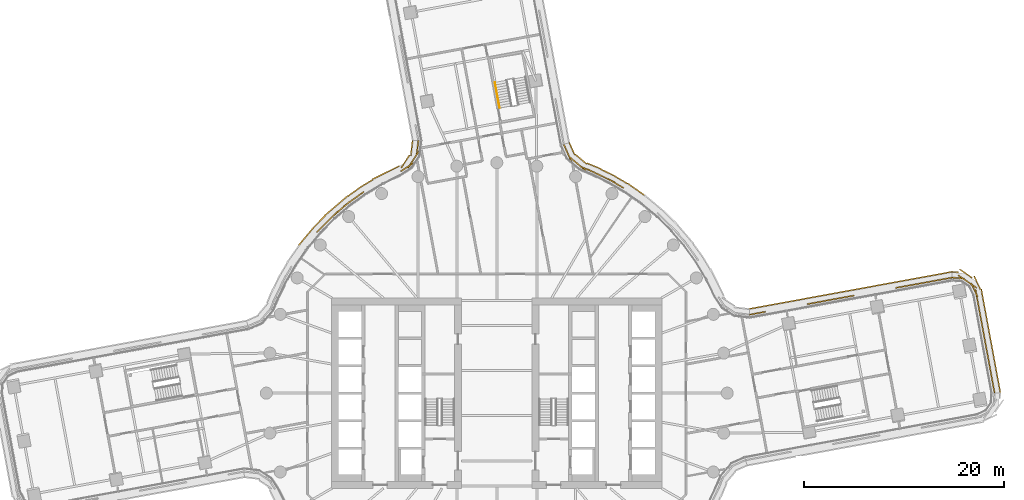
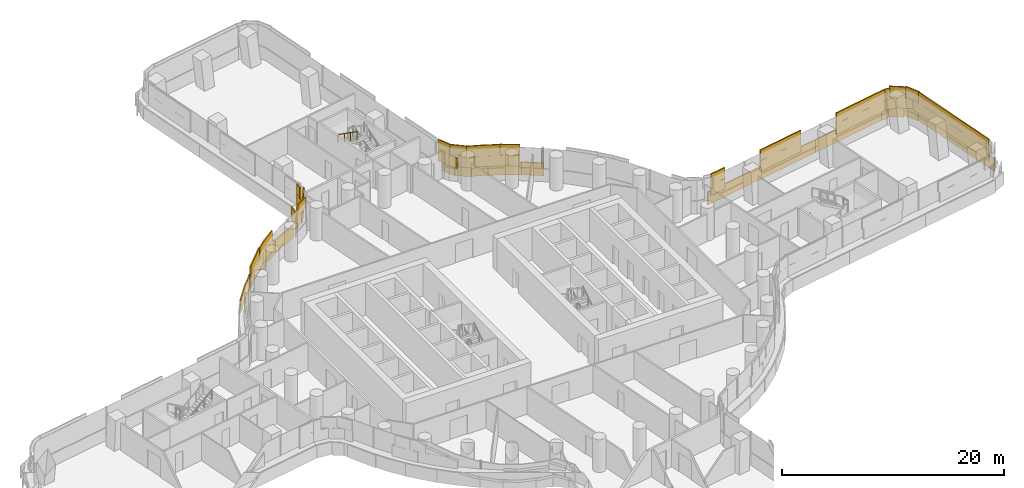
# One storey, part 31 of 33: 5 coverings, 1 railing.
"""IFC4 building model written with IfcOpenShell, lengths in metres."""

from ifc_helpers import new_model, si_unit, direction, frame, origin, origin_2d, place, context, subcontext, project, spatial, rectangle, circle, extrude, material, layer, layer_set, type_object, element, save


model = new_model("IFC4")

# Units and contexts
model_context = context("Model", 3, precision=1e-05, world=origin(), true_north=direction((0.0, 1.0)))
body_context = subcontext(model_context, "Body", "Model", "MODEL_VIEW")
ifc_project = project(units=[si_unit("LENGTHUNIT", "METRE"), si_unit("AREAUNIT", "SQUARE_METRE"), si_unit("VOLUMEUNIT", "CUBIC_METRE"), si_unit("PLANEANGLEUNIT", "RADIAN"), si_unit("MASSUNIT", "GRAM", prefix="KILO")], contexts=[model_context])

# Site, building, storey
site_placement = place(None, origin())
site = spatial("IfcSite", under=ifc_project, at=site_placement, CompositionType="ELEMENT")
building_placement = place(site_placement, origin())
building = spatial("IfcBuilding", under=site, at=building_placement, Name="Tamarind Cross Interchange Tower", CompositionType="ELEMENT")
storey_placement = place(building_placement, frame((0.0, 0.0, 71.5)))
storey = spatial("IfcBuildingStorey", under=building, at=storey_placement, Name="L16", CompositionType="ELEMENT", Elevation=71.5)

# Railing
ifc_material_1 = material(Name="Stair handrail")
railing_type = type_object("IfcRailingType", Name="Stair handrail", PredefinedType="HANDRAIL", material=ifc_material_1)
railing_placement = place(storey_placement, frame((-0.18798828125, 31.015380859375, 2.04541015625)))
element("IfcRailing", 1, at=railing_placement, inside=storey, type_object=railing_type, Name="L16 ST4 stair handrail 2", PredefinedType="HANDRAIL", context=body_context, shape_type="SweptSolid", body=[
    extrude(circle(Radius=0.02392578125, at=origin_2d()), frame((0.0, 0.0, 0.8759765625), z_axis=(0.151638442794, -0.822428488544, 0.54828565903), x_axis=(0.983423678231, 0.181322555396, 0.0)), (0.0, 0.0, 1.0), 3.10888671875),
    extrude(circle(Radius=0.02099609375, at=origin_2d()), origin(), (0.0, 0.0, 1.0), 0.851806640625),
    extrude(circle(Radius=0.02099609375, at=origin_2d()), frame((0.1572265625, -0.852294921875, 0.568115234375)), (0.0, 0.0, 1.0), 0.851806640625),
    extrude(circle(Radius=0.02099609375, at=origin_2d()), frame((0.314208984375, -1.70458984375, 1.136474609375)), (0.0, 0.0, 1.0), 0.851806640625),
    extrude(circle(Radius=0.02099609375, at=origin_2d()), frame((0.471435546875, -2.556884765625, 1.70458984375)), (0.0, 0.0, 1.0), 0.851806640625),
])

# Coverings
ifc_material_2 = material(Name="Terracotta", Category="masonry")
ifc_layer = layer(ifc_material_2, 0.1201171875)
ifc_layer_set = layer_set([ifc_layer], Name="Terracotta")
covering_type = type_object("IfcCoveringType", Name="Terracotta baguette screen unit", PredefinedType="MOLDING", material=ifc_layer_set)
covering_1_placement = place(storey_placement, origin())
element("IfcCovering", 2, at=covering_1_placement, inside=storey, type_object=covering_type, Name="SCR-L16-08-00", PredefinedType="MOLDING", context=body_context, shape_type="SweptSolid", body=[
    extrude(rectangle(XDim=1.510009765625, YDim=0.1201171875, at=origin_2d()), frame((49.553466796875, 0.7470703125, 1.404052734375), z_axis=(0.0, 0.0, 1.0), x_axis=(-0.181343076715, 0.983419894311, 0.0)), (0.0, 0.0, 1.0), 1.1669921875),
    extrude(rectangle(XDim=1.52001953125, YDim=0.1201171875, at=origin_2d()), frame((49.281494140625, 2.222412109375, 1.404052734375), z_axis=(0.0, 0.0, 1.0), x_axis=(-0.181343076715, 0.983419894311, 0.0)), (0.0, 0.0, 1.0), 1.1669921875),
    extrude(rectangle(XDim=1.52001953125, YDim=0.1201171875, at=origin_2d()), frame((49.009521484375, 3.697509765625, 1.404052734375), z_axis=(0.0, 0.0, 1.0), x_axis=(-0.181343076715, 0.983419894311, 0.0)), (0.0, 0.0, 1.0), 1.1669921875),
    extrude(rectangle(XDim=1.52001953125, YDim=0.1201171875, at=origin_2d()), frame((48.7373046875, 5.172607421875, 1.404052734375), z_axis=(0.0, 0.0, 1.0), x_axis=(-0.181343076715, 0.983419894311, 0.0)), (0.0, 0.0, 1.0), 1.1669921875),
    extrude(rectangle(XDim=1.52001953125, YDim=0.1201171875, at=origin_2d()), frame((48.46533203125, 6.647705078125, 1.404052734375), z_axis=(0.0, 0.0, 1.0), x_axis=(-0.181343076715, 0.983419894311, 0.0)), (0.0, 0.0, 1.0), 1.1669921875),
    extrude(rectangle(XDim=1.52001953125, YDim=0.1201171875, at=origin_2d()), frame((48.193359375, 8.122802734375, 1.404052734375), z_axis=(0.0, 0.0, 1.0), x_axis=(-0.181343076715, 0.983419894311, 0.0)), (0.0, 0.0, 1.0), 1.1669921875),
    extrude(rectangle(XDim=1.52001953125, YDim=0.1201171875, at=origin_2d()), frame((47.92138671875, 9.597900390625, 1.404052734375), z_axis=(0.0, 0.0, 1.0), x_axis=(-0.181343076715, 0.983419894311, 0.0)), (0.0, 0.0, 1.0), 1.1669921875),
    extrude(rectangle(XDim=1.52001953125, YDim=0.1201171875, at=origin_2d()), frame((47.28369140625, 10.92236328125, 1.404052734375), z_axis=(0.0, 0.0, 1.0), x_axis=(-0.823611795288, 0.567153956755, 0.0)), (0.0, 0.0, 1.0), 1.1669921875),
    extrude(rectangle(XDim=1.259521484375, YDim=0.1201171875, at=origin_2d()), frame((46.073974609375, 11.484375, 1.404052734375), z_axis=(0.0, 0.0, 1.0), x_axis=(-0.996845715953, 0.079363836763, 0.0)), (0.0, 0.0, 1.0), 1.1669921875),
    extrude(rectangle(XDim=0.760009765625, YDim=0.1201171875, at=origin_2d()), frame((49.62158203125, 0.37841796875, 2.5791015625), z_axis=(0.0, 0.0, 1.0), x_axis=(-0.181343076715, 0.983419894311, 0.0)), (0.0, 0.0, 1.0), 1.1669921875),
    extrude(rectangle(XDim=1.52001953125, YDim=0.1201171875, at=origin_2d()), frame((49.41748046875, 1.484619140625, 2.5791015625), z_axis=(0.0, 0.0, 1.0), x_axis=(-0.181343076715, 0.983419894311, 0.0)), (0.0, 0.0, 1.0), 1.1669921875),
    extrude(rectangle(XDim=1.52001953125, YDim=0.1201171875, at=origin_2d()), frame((49.1455078125, 2.9599609375, 2.5791015625), z_axis=(0.0, 0.0, 1.0), x_axis=(-0.181343076715, 0.983419894311, 0.0)), (0.0, 0.0, 1.0), 1.1669921875),
    extrude(rectangle(XDim=1.52001953125, YDim=0.1201171875, at=origin_2d()), frame((48.87353515625, 4.43505859375, 2.5791015625), z_axis=(0.0, 0.0, 1.0), x_axis=(-0.181343076715, 0.983419894311, 0.0)), (0.0, 0.0, 1.0), 1.1669921875),
    extrude(rectangle(XDim=1.52001953125, YDim=0.1201171875, at=origin_2d()), frame((48.601318359375, 5.91015625, 2.5791015625), z_axis=(0.0, 0.0, 1.0), x_axis=(-0.181343076715, 0.983419894311, 0.0)), (0.0, 0.0, 1.0), 1.1669921875),
    extrude(rectangle(XDim=1.52001953125, YDim=0.1201171875, at=origin_2d()), frame((48.329345703125, 7.38525390625, 2.5791015625), z_axis=(0.0, 0.0, 1.0), x_axis=(-0.181343076715, 0.983419894311, 0.0)), (0.0, 0.0, 1.0), 1.1669921875),
    extrude(rectangle(XDim=1.52001953125, YDim=0.1201171875, at=origin_2d()), frame((48.057373046875, 8.8603515625, 2.5791015625), z_axis=(0.0, 0.0, 1.0), x_axis=(-0.181343076715, 0.983419894311, 0.0)), (0.0, 0.0, 1.0), 1.1669921875),
    extrude(rectangle(XDim=1.52001953125, YDim=0.1201171875, at=origin_2d()), frame((47.6669921875, 10.297119140625, 2.5791015625), z_axis=(0.0, 0.0, 1.0), x_axis=(-0.429691759198, 0.902975632051, 0.0)), (0.0, 0.0, 1.0), 1.1669921875),
    extrude(rectangle(XDim=1.52001953125, YDim=0.1201171875, at=origin_2d()), frame((46.666015625, 11.34765625, 2.5791015625), z_axis=(0.0, 0.0, 1.0), x_axis=(-0.823611795288, 0.567153956755, 0.0)), (0.0, 0.0, 1.0), 1.1669921875),
    extrude(rectangle(XDim=0.509521484375, YDim=0.1201171875, at=origin_2d()), frame((45.7001953125, 11.51416015625, 2.5791015625), z_axis=(0.0, 0.0, 1.0), x_axis=(-0.996845715953, 0.079363836763, 0.0)), (0.0, 0.0, 1.0), 1.1669921875),
    extrude(rectangle(XDim=1.510009765625, YDim=0.1201171875, at=origin_2d()), frame((50.130859375, 0.781982421875, 0.00390625), z_axis=(0.0, 0.0, 1.0), x_axis=(-0.181343076715, 0.983419894311, 0.0)), (0.0, 0.0, 1.0), 1.39208984375),
    extrude(rectangle(XDim=1.52001953125, YDim=0.1201171875, at=origin_2d()), frame((49.859619140625, 2.251953125, 0.00390625), z_axis=(0.0, 0.0, 1.0), x_axis=(-0.181343076715, 0.983419894311, 0.0)), (0.0, 0.0, 1.0), 1.39208984375),
    extrude(rectangle(XDim=1.52001953125, YDim=0.1201171875, at=origin_2d()), frame((49.587646484375, 3.727294921875, 0.00390625), z_axis=(0.0, 0.0, 1.0), x_axis=(-0.181343076715, 0.983419894311, 0.0)), (0.0, 0.0, 1.0), 1.39208984375),
    extrude(rectangle(XDim=1.52001953125, YDim=0.1201171875, at=origin_2d()), frame((49.315673828125, 5.202392578125, 0.00390625), z_axis=(0.0, 0.0, 1.0), x_axis=(-0.181343076715, 0.983419894311, 0.0)), (0.0, 0.0, 1.0), 1.39208984375),
    extrude(rectangle(XDim=1.52001953125, YDim=0.1201171875, at=origin_2d()), frame((49.043701171875, 6.677490234375, 0.00390625), z_axis=(0.0, 0.0, 1.0), x_axis=(-0.181343076715, 0.983419894311, 0.0)), (0.0, 0.0, 1.0), 1.39208984375),
    extrude(rectangle(XDim=1.52001953125, YDim=0.1201171875, at=origin_2d()), frame((48.771484375, 8.152587890625, 0.00390625), z_axis=(0.0, 0.0, 1.0), x_axis=(-0.181343076715, 0.983419894311, 0.0)), (0.0, 0.0, 1.0), 1.39208984375),
    extrude(rectangle(XDim=1.52001953125, YDim=0.1201171875, at=origin_2d()), frame((48.49951171875, 9.627685546875, 0.00390625), z_axis=(0.0, 0.0, 1.0), x_axis=(-0.181343076715, 0.983419894311, 0.0)), (0.0, 0.0, 1.0), 1.39208984375),
    extrude(rectangle(XDim=1.52001953125, YDim=0.1201171875, at=origin_2d()), frame((47.96044921875, 11.016357421875, 0.00390625), z_axis=(0.0, 0.0, 1.0), x_axis=(-0.429691759198, 0.902975632051, 0.0)), (0.0, 0.0, 1.0), 1.39208984375),
    extrude(rectangle(XDim=1.52001953125, YDim=0.1201171875, at=origin_2d()), frame((46.81396484375, 11.94287109375, 0.00390625), z_axis=(0.0, 0.0, 1.0), x_axis=(-0.823611795288, 0.567153956755, 0.0)), (0.0, 0.0, 1.0), 1.39208984375),
    extrude(rectangle(XDim=0.6767578125, YDim=0.1201171875, at=origin_2d()), frame((45.759033203125, 12.085205078125, 0.00390625), z_axis=(0.0, 0.0, 1.0), x_axis=(-0.996845715953, 0.079363836763, 0.0)), (0.0, 0.0, 1.0), 1.39208984375),
])
covering_2_placement = place(storey_placement, origin())
element("IfcCovering", 3, at=covering_2_placement, inside=storey, type_object=covering_type, Name="SCR-L16-09-00", PredefinedType="MOLDING", context=body_context, shape_type="SweptSolid", body=[
    extrude(rectangle(XDim=1.510009765625, YDim=0.1201171875, at=origin_2d()), frame((44.713623046875, 11.39892578125, 1.404052734375), z_axis=(0.0, 0.0, 1.0), x_axis=(-0.98365083434, -0.180086190758, 0.0)), (0.0, 0.0, 1.0), 1.1669921875),
    extrude(rectangle(XDim=1.52001953125, YDim=0.1201171875, at=origin_2d()), frame((43.238037109375, 11.128662109375, 1.404052734375), z_axis=(0.0, 0.0, 1.0), x_axis=(-0.98365083434, -0.180086190758, 0.0)), (0.0, 0.0, 1.0), 1.1669921875),
    extrude(rectangle(XDim=1.52001953125, YDim=0.1201171875, at=origin_2d()), frame((41.762451171875, 10.858642578125, 1.404052734375), z_axis=(0.0, 0.0, 1.0), x_axis=(-0.98365083434, -0.180086190758, 0.0)), (0.0, 0.0, 1.0), 1.1669921875),
    extrude(rectangle(XDim=1.25146484375, YDim=0.1201171875, at=origin_2d()), frame((40.414306640625, 10.61181640625, 1.404052734375), z_axis=(0.0, 0.0, 1.0), x_axis=(-0.98365083434, -0.180086190758, 0.0)), (0.0, 0.0, 1.0), 1.1669921875),
    extrude(rectangle(XDim=0.760009765625, YDim=0.1201171875, at=origin_2d()), frame((45.082275390625, 11.46630859375, 2.5791015625), z_axis=(0.0, 0.0, 1.0), x_axis=(-0.98365083434, -0.180086190758, 0.0)), (0.0, 0.0, 1.0), 1.1669921875),
    extrude(rectangle(XDim=1.52001953125, YDim=0.1201171875, at=origin_2d()), frame((43.975830078125, 11.263916015625, 2.5791015625), z_axis=(0.0, 0.0, 1.0), x_axis=(-0.98365083434, -0.180086190758, 0.0)), (0.0, 0.0, 1.0), 1.1669921875),
    extrude(rectangle(XDim=1.52001953125, YDim=0.1201171875, at=origin_2d()), frame((42.500244140625, 10.99365234375, 2.5791015625), z_axis=(0.0, 0.0, 1.0), x_axis=(-0.98365083434, -0.180086190758, 0.0)), (0.0, 0.0, 1.0), 1.1669921875),
    extrude(rectangle(XDim=1.52001953125, YDim=0.1201171875, at=origin_2d()), frame((41.02490234375, 10.7236328125, 2.5791015625), z_axis=(0.0, 0.0, 1.0), x_axis=(-0.98365083434, -0.180086190758, 0.0)), (0.0, 0.0, 1.0), 1.1669921875),
    extrude(rectangle(XDim=0.50146484375, YDim=0.1201171875, at=origin_2d()), frame((40.04541015625, 10.544189453125, 2.5791015625), z_axis=(0.0, 0.0, 1.0), x_axis=(-0.98365083434, -0.180086190758, 0.0)), (0.0, 0.0, 1.0), 1.1669921875),
    extrude(rectangle(XDim=1.510009765625, YDim=0.1201171875, at=origin_2d()), frame((44.67919921875, 11.97607421875, 0.00390625), z_axis=(0.0, 0.0, 1.0), x_axis=(-0.98365083434, -0.180086190758, 0.0)), (0.0, 0.0, 1.0), 1.39208984375),
    extrude(rectangle(XDim=1.52001953125, YDim=0.1201171875, at=origin_2d()), frame((43.208740234375, 11.706787109375, 0.00390625), z_axis=(0.0, 0.0, 1.0), x_axis=(-0.98365083434, -0.180086190758, 0.0)), (0.0, 0.0, 1.0), 1.39208984375),
    extrude(rectangle(XDim=1.52001953125, YDim=0.1201171875, at=origin_2d()), frame((41.733154296875, 11.436767578125, 0.00390625), z_axis=(0.0, 0.0, 1.0), x_axis=(-0.98365083434, -0.180086190758, 0.0)), (0.0, 0.0, 1.0), 1.39208984375),
    extrude(rectangle(XDim=1.52001953125, YDim=0.1201171875, at=origin_2d()), frame((40.257568359375, 11.166748046875, 0.00390625), z_axis=(0.0, 0.0, 1.0), x_axis=(-0.98365083434, -0.180086190758, 0.0)), (0.0, 0.0, 1.0), 1.39208984375),
    extrude(rectangle(XDim=1.52001953125, YDim=0.1201171875, at=origin_2d()), frame((38.7822265625, 10.896484375, 0.00390625), z_axis=(0.0, 0.0, 1.0), x_axis=(-0.98365083434, -0.180086190758, 0.0)), (0.0, 0.0, 1.0), 1.39208984375),
    extrude(rectangle(XDim=0.34716796875, YDim=0.1201171875, at=origin_2d()), frame((37.883544921875, 10.73193359375, 0.00390625), z_axis=(0.0, 0.0, 1.0), x_axis=(-0.98365083434, -0.180086190758, 0.0)), (0.0, 0.0, 1.0), 1.39208984375),
])
covering_3_placement = place(storey_placement, origin())
element("IfcCovering", 4, at=covering_3_placement, inside=storey, type_object=covering_type, Name="SCR-L16-09-01", PredefinedType="MOLDING", context=body_context, shape_type="SweptSolid", body=[
    extrude(rectangle(XDim=0.568603515625, YDim=0.1201171875, at=origin_2d()), frame((35.397705078125, 9.693359375, 1.404052734375), z_axis=(0.0, 0.0, 1.0), x_axis=(-0.98365083434, -0.180086190758, 0.0)), (0.0, 0.0, 1.0), 1.1669921875),
    extrude(rectangle(XDim=1.52001953125, YDim=0.1201171875, at=origin_2d()), frame((34.38525390625, 9.508056640625, 1.404052734375), z_axis=(0.0, 0.0, 1.0), x_axis=(-0.98365083434, -0.180086190758, 0.0)), (0.0, 0.0, 1.0), 1.1669921875),
    extrude(rectangle(XDim=1.52001953125, YDim=0.1201171875, at=origin_2d()), frame((32.90966796875, 9.23779296875, 1.404052734375), z_axis=(0.0, 0.0, 1.0), x_axis=(-0.98365083434, -0.180086190758, 0.0)), (0.0, 0.0, 1.0), 1.1669921875),
    extrude(rectangle(XDim=1.250732421875, YDim=0.1201171875, at=origin_2d()), frame((31.561767578125, 8.990966796875, 1.404052734375), z_axis=(0.0, 0.0, 1.0), x_axis=(-0.98365083434, -0.180086190758, 0.0)), (0.0, 0.0, 1.0), 1.1669921875),
    extrude(rectangle(XDim=0.5693359375, YDim=0.1201171875, at=origin_2d()), frame((26.545166015625, 8.072509765625, 1.404052734375), z_axis=(0.0, 0.0, 1.0), x_axis=(-0.98365083434, -0.180086190758, 0.0)), (0.0, 0.0, 1.0), 1.1669921875),
    extrude(rectangle(XDim=1.07958984375, YDim=0.1201171875, at=origin_2d()), frame((25.744140625, 7.926025390625, 1.404052734375), z_axis=(0.0, 0.0, 1.0), x_axis=(-0.98365083434, -0.180086190758, 0.0)), (0.0, 0.0, 1.0), 1.1669921875),
    extrude(rectangle(XDim=1.318603515625, YDim=0.1201171875, at=origin_2d()), frame((35.02880859375, 9.625732421875, 2.5791015625), z_axis=(0.0, 0.0, 1.0), x_axis=(-0.98365083434, -0.180086190758, 0.0)), (0.0, 0.0, 1.0), 1.1669921875),
    extrude(rectangle(XDim=1.52001953125, YDim=0.1201171875, at=origin_2d()), frame((33.6474609375, 9.372802734375, 2.5791015625), z_axis=(0.0, 0.0, 1.0), x_axis=(-0.98365083434, -0.180086190758, 0.0)), (0.0, 0.0, 1.0), 1.1669921875),
    extrude(rectangle(XDim=1.52001953125, YDim=0.1201171875, at=origin_2d()), frame((32.171875, 9.102783203125, 2.5791015625), z_axis=(0.0, 0.0, 1.0), x_axis=(-0.98365083434, -0.180086190758, 0.0)), (0.0, 0.0, 1.0), 1.1669921875),
    extrude(rectangle(XDim=0.500732421875, YDim=0.1201171875, at=origin_2d()), frame((31.19287109375, 8.923583984375, 2.5791015625), z_axis=(0.0, 0.0, 1.0), x_axis=(-0.98365083434, -0.180086190758, 0.0)), (0.0, 0.0, 1.0), 1.1669921875),
    extrude(rectangle(XDim=1.3193359375, YDim=0.1201171875, at=origin_2d()), frame((26.17626953125, 8.005126953125, 2.5791015625), z_axis=(0.0, 0.0, 1.0), x_axis=(-0.98365083434, -0.180086190758, 0.0)), (0.0, 0.0, 1.0), 1.1669921875),
    extrude(rectangle(XDim=0.32958984375, YDim=0.1201171875, at=origin_2d()), frame((25.375244140625, 7.8583984375, 2.5791015625), z_axis=(0.0, 0.0, 1.0), x_axis=(-0.98365083434, -0.180086190758, 0.0)), (0.0, 0.0, 1.0), 1.1669921875),
    extrude(rectangle(XDim=1.1728515625, YDim=0.1201171875, at=origin_2d()), frame((37.135986328125, 10.59521484375, 0.00390625), z_axis=(0.0, 0.0, 1.0), x_axis=(-0.98365083434, -0.180086190758, 0.0)), (0.0, 0.0, 1.0), 1.39208984375),
    extrude(rectangle(XDim=1.52001953125, YDim=0.1201171875, at=origin_2d()), frame((35.831298828125, 10.356201171875, 0.00390625), z_axis=(0.0, 0.0, 1.0), x_axis=(-0.98365083434, -0.180086190758, 0.0)), (0.0, 0.0, 1.0), 1.39208984375),
    extrude(rectangle(XDim=1.52001953125, YDim=0.1201171875, at=origin_2d()), frame((34.355712890625, 10.086181640625, 0.00390625), z_axis=(0.0, 0.0, 1.0), x_axis=(-0.98365083434, -0.180086190758, 0.0)), (0.0, 0.0, 1.0), 1.39208984375),
    extrude(rectangle(XDim=1.52001953125, YDim=0.1201171875, at=origin_2d()), frame((32.88037109375, 9.81591796875, 0.00390625), z_axis=(0.0, 0.0, 1.0), x_axis=(-0.98365083434, -0.180086190758, 0.0)), (0.0, 0.0, 1.0), 1.39208984375),
    extrude(rectangle(XDim=1.52001953125, YDim=0.1201171875, at=origin_2d()), frame((31.40478515625, 9.5458984375, 0.00390625), z_axis=(0.0, 0.0, 1.0), x_axis=(-0.98365083434, -0.180086190758, 0.0)), (0.0, 0.0, 1.0), 1.39208984375),
    extrude(rectangle(XDim=1.52001953125, YDim=0.1201171875, at=origin_2d()), frame((29.929443359375, 9.275634765625, 0.00390625), z_axis=(0.0, 0.0, 1.0), x_axis=(-0.98365083434, -0.180086190758, 0.0)), (0.0, 0.0, 1.0), 1.39208984375),
    extrude(rectangle(XDim=1.52001953125, YDim=0.1201171875, at=origin_2d()), frame((28.453857421875, 9.005615234375, 0.00390625), z_axis=(0.0, 0.0, 1.0), x_axis=(-0.98365083434, -0.180086190758, 0.0)), (0.0, 0.0, 1.0), 1.39208984375),
    extrude(rectangle(XDim=1.52001953125, YDim=0.1201171875, at=origin_2d()), frame((26.978271484375, 8.735595703125, 0.00390625), z_axis=(0.0, 0.0, 1.0), x_axis=(-0.98365083434, -0.180086190758, 0.0)), (0.0, 0.0, 1.0), 1.39208984375),
    extrude(rectangle(XDim=1.068115234375, YDim=0.1201171875, at=origin_2d()), frame((25.72509765625, 8.506103515625, 0.00390625), z_axis=(0.0, 0.0, 1.0), x_axis=(-0.98365083434, -0.180086190758, 0.0)), (0.0, 0.0, 1.0), 1.39208984375),
])
covering_4_placement = place(storey_placement, origin())
element("IfcCovering", 5, at=covering_4_placement, inside=storey, type_object=covering_type, Name="SCR-L16-10-01", PredefinedType="MOLDING", context=body_context, shape_type="SweptSolid", body=[
    extrude(rectangle(XDim=1.078125, YDim=0.1201171875, at=origin_2d()), frame((12.1962890625, 20.74609375, 1.404052734375), z_axis=(0.0, 0.0, 1.0), x_axis=(-0.861248933065, 0.508183308752, 0.0)), (0.0, 0.0, 1.0), 1.1669921875),
    extrude(rectangle(XDim=1.52001953125, YDim=0.1201171875, at=origin_2d()), frame((11.07763671875, 21.374755859375, 1.404052734375), z_axis=(0.0, 0.0, 1.0), x_axis=(-0.900272776334, 0.435326231914, 0.0)), (0.0, 0.0, 1.0), 1.1669921875),
    extrude(rectangle(XDim=1.52001953125, YDim=0.1201171875, at=origin_2d()), frame((9.72705078125, 22.02783203125, 1.404052734375), z_axis=(0.0, 0.0, 1.0), x_axis=(-0.900272776334, 0.435326231914, 0.0)), (0.0, 0.0, 1.0), 1.1669921875),
    extrude(rectangle(XDim=1.52001953125, YDim=0.1201171875, at=origin_2d()), frame((8.361572265625, 22.638671875, 1.404052734375), z_axis=(0.0, 0.0, 1.0), x_axis=(-0.762599582374, 0.646870834837, 0.0)), (0.0, 0.0, 1.0), 1.1669921875),
    extrude(rectangle(XDim=1.52001953125, YDim=0.1201171875, at=origin_2d()), frame((7.22216796875, 23.612548828125, 1.404052734375), z_axis=(0.0, 0.0, 1.0), x_axis=(-0.401557003304, 0.915834031415, 0.0)), (0.0, 0.0, 1.0), 1.1669921875),
    extrude(rectangle(XDim=0.59228515625, YDim=0.1201171875, at=origin_2d()), frame((6.80419921875, 24.56591796875, 1.404052734375), z_axis=(0.0, 0.0, 1.0), x_axis=(-0.401557003304, 0.915834031415, 0.0)), (0.0, 0.0, 1.0), 1.1669921875),
    extrude(rectangle(XDim=0.328125, YDim=0.1201171875, at=origin_2d()), frame((12.519287109375, 20.555419921875, 2.5791015625), z_axis=(0.0, 0.0, 1.0), x_axis=(-0.861248933065, 0.508183308752, 0.0)), (0.0, 0.0, 1.0), 1.1669921875),
    extrude(rectangle(XDim=1.52001953125, YDim=0.1201171875, at=origin_2d()), frame((11.736328125, 21.017578125, 2.5791015625), z_axis=(0.0, 0.0, 1.0), x_axis=(-0.861248933065, 0.508183308752, 0.0)), (0.0, 0.0, 1.0), 1.1669921875),
    extrude(rectangle(XDim=1.52001953125, YDim=0.1201171875, at=origin_2d()), frame((10.40234375, 21.701171875, 2.5791015625), z_axis=(0.0, 0.0, 1.0), x_axis=(-0.900272776334, 0.435326231914, 0.0)), (0.0, 0.0, 1.0), 1.1669921875),
    extrude(rectangle(XDim=1.52001953125, YDim=0.1201171875, at=origin_2d()), frame((9.0390625, 22.32568359375, 2.5791015625), z_axis=(0.0, 0.0, 1.0), x_axis=(-0.922083651498, 0.386990619576, 0.0)), (0.0, 0.0, 1.0), 1.1669921875),
    extrude(rectangle(XDim=1.52001953125, YDim=0.1201171875, at=origin_2d()), frame((7.78955078125, 23.123779296875, 2.5791015625), z_axis=(0.0, 0.0, 1.0), x_axis=(-0.762599582374, 0.646870834837, 0.0)), (0.0, 0.0, 1.0), 1.1669921875),
    extrude(rectangle(XDim=1.34228515625, YDim=0.1201171875, at=origin_2d()), frame((6.95458984375, 24.222412109375, 2.5791015625), z_axis=(0.0, 0.0, 1.0), x_axis=(-0.401557003304, 0.915834031415, 0.0)), (0.0, 0.0, 1.0), 1.1669921875),
    extrude(rectangle(XDim=0.57275390625, YDim=0.1201171875, at=origin_2d()), frame((14.50244140625, 19.922119140625, 0.00390625), z_axis=(0.0, 0.0, 1.0), x_axis=(-0.816341886298, 0.577568978284, 0.0)), (0.0, 0.0, 1.0), 1.39208984375),
    extrude(rectangle(XDim=1.52001953125, YDim=0.1201171875, at=origin_2d()), frame((13.66455078125, 20.514892578125, 0.00390625), z_axis=(0.0, 0.0, 1.0), x_axis=(-0.816341886298, 0.577568978284, 0.0)), (0.0, 0.0, 1.0), 1.39208984375),
    extrude(rectangle(XDim=1.52001953125, YDim=0.1201171875, at=origin_2d()), frame((12.38720703125, 21.2998046875, 0.00390625), z_axis=(0.0, 0.0, 1.0), x_axis=(-0.861248933065, 0.508183308752, 0.0)), (0.0, 0.0, 1.0), 1.39208984375),
    extrude(rectangle(XDim=1.52001953125, YDim=0.1201171875, at=origin_2d()), frame((11.070556640625, 22.015625, 0.00390625), z_axis=(0.0, 0.0, 1.0), x_axis=(-0.900272776334, 0.435326231914, 0.0)), (0.0, 0.0, 1.0), 1.39208984375),
    extrude(rectangle(XDim=1.52001953125, YDim=0.1201171875, at=origin_2d()), frame((9.7177734375, 22.66357421875, 0.00390625), z_axis=(0.0, 0.0, 1.0), x_axis=(-0.922083651498, 0.386990619576, 0.0)), (0.0, 0.0, 1.0), 1.39208984375),
    extrude(rectangle(XDim=1.52001953125, YDim=0.1201171875, at=origin_2d()), frame((8.4033203125, 23.35595703125, 0.00390625), z_axis=(0.0, 0.0, 1.0), x_axis=(-0.762599582374, 0.646870834837, 0.0)), (0.0, 0.0, 1.0), 1.39208984375),
    extrude(rectangle(XDim=1.32861328125, YDim=0.1201171875, at=origin_2d()), frame((7.50634765625, 24.393798828125, 0.00390625), z_axis=(0.0, 0.0, 1.0), x_axis=(-0.401557003304, 0.915834031415, 0.0)), (0.0, 0.0, 1.0), 1.39208984375),
])
covering_5_placement = place(storey_placement, origin())
element("IfcCovering", 6, at=covering_5_placement, inside=storey, type_object=covering_type, Name="SCR-L16-14-00", PredefinedType="MOLDING", context=body_context, shape_type="SweptSolid", body=[
    extrude(rectangle(XDim=1.510009765625, YDim=0.1201171875, at=origin_2d()), frame((-7.91796875, 24.47314453125, 1.404052734375), z_axis=(0.0, 0.0, 1.0), x_axis=(-0.11776020703, -0.993042060358, 0.0)), (0.0, 0.0, 1.0), 1.1669921875),
    extrude(rectangle(XDim=1.52001953125, YDim=0.1201171875, at=origin_2d()), frame((-8.448486328125, 23.11279296875, 1.404052734375), z_axis=(0.0, 0.0, 1.0), x_axis=(-0.549037377395, -0.835797797451, 0.0)), (0.0, 0.0, 1.0), 1.1669921875),
    extrude(rectangle(XDim=0.791015625, YDim=0.1201171875, at=origin_2d()), frame((-9.263427734375, 22.3486328125, 1.404052734375), z_axis=(0.0, 0.0, 1.0), x_axis=(-0.836698400443, -0.54766393591, 0.0)), (0.0, 0.0, 1.0), 1.1669921875),
    extrude(rectangle(XDim=1.029052734375, YDim=0.1201171875, at=origin_2d()), frame((-13.676025390625, 19.8076171875, 1.404052734375), z_axis=(0.0, 0.0, 1.0), x_axis=(-0.811340475102, -0.584573890505, 0.0)), (0.0, 0.0, 1.0), 1.1669921875),
    extrude(rectangle(XDim=1.52001953125, YDim=0.1201171875, at=origin_2d()), frame((-14.697998046875, 19.0712890625, 1.404052734375), z_axis=(0.0, 0.0, 1.0), x_axis=(-0.811340475102, -0.584573890505, 0.0)), (0.0, 0.0, 1.0), 1.1669921875),
    extrude(rectangle(XDim=1.52001953125, YDim=0.1201171875, at=origin_2d()), frame((-15.849609375, 18.111328125, 1.404052734375), z_axis=(0.0, 0.0, 1.0), x_axis=(-0.760295606781, -0.64957723968, 0.0)), (0.0, 0.0, 1.0), 1.1669921875),
    extrude(rectangle(XDim=1.52001953125, YDim=0.1201171875, at=origin_2d()), frame((-16.945556640625, 17.089111328125, 1.404052734375), z_axis=(0.0, 0.0, 1.0), x_axis=(-0.704057148523, -0.710143317658, 0.0)), (0.0, 0.0, 1.0), 1.1669921875),
    extrude(rectangle(XDim=0.741943359375, YDim=0.1201171875, at=origin_2d()), frame((-17.731201171875, 16.296630859375, 1.404052734375), z_axis=(0.0, 0.0, 1.0), x_axis=(-0.704057148523, -0.710143317658, 0.0)), (0.0, 0.0, 1.0), 1.1669921875),
    extrude(rectangle(XDim=0.760009765625, YDim=0.1201171875, at=origin_2d()), frame((-7.873779296875, 24.845703125, 2.5791015625), z_axis=(0.0, 0.0, 1.0), x_axis=(-0.11776020703, -0.993042060358, 0.0)), (0.0, 0.0, 1.0), 1.1669921875),
    extrude(rectangle(XDim=1.52001953125, YDim=0.1201171875, at=origin_2d()), frame((-8.03662109375, 23.739501953125, 2.5791015625), z_axis=(0.0, 0.0, 1.0), x_axis=(-0.549037377395, -0.835797797451, 0.0)), (0.0, 0.0, 1.0), 1.1669921875),
    extrude(rectangle(XDim=1.52001953125, YDim=0.1201171875, at=origin_2d()), frame((-8.9365234375, 22.5625, 2.5791015625), z_axis=(0.0, 0.0, 1.0), x_axis=(-0.836698400443, -0.54766393591, 0.0)), (0.0, 0.0, 1.0), 1.1669921875),
    extrude(rectangle(XDim=1.52001953125, YDim=0.1201171875, at=origin_2d()), frame((-14.08935546875, 19.509765625, 2.5791015625), z_axis=(0.0, 0.0, 1.0), x_axis=(-0.811340475102, -0.584573890505, 0.0)), (0.0, 0.0, 1.0), 1.1669921875),
    extrude(rectangle(XDim=1.52001953125, YDim=0.1201171875, at=origin_2d()), frame((-15.279296875, 18.598388671875, 2.5791015625), z_axis=(0.0, 0.0, 1.0), x_axis=(-0.760295606781, -0.64957723968, 0.0)), (0.0, 0.0, 1.0), 1.1669921875),
    extrude(rectangle(XDim=1.52001953125, YDim=0.1201171875, at=origin_2d()), frame((-16.41748046875, 17.62158203125, 2.5791015625), z_axis=(0.0, 0.0, 1.0), x_axis=(-0.704057148523, -0.710143317658, 0.0)), (0.0, 0.0, 1.0), 1.1669921875),
    extrude(rectangle(XDim=1.491943359375, YDim=0.1201171875, at=origin_2d()), frame((-17.46728515625, 16.562744140625, 2.5791015625), z_axis=(0.0, 0.0, 1.0), x_axis=(-0.704057148523, -0.710143317658, 0.0)), (0.0, 0.0, 1.0), 1.1669921875),
    extrude(rectangle(XDim=1.510009765625, YDim=0.1201171875, at=origin_2d()), frame((-8.498779296875, 24.449951171875, 0.00390625), z_axis=(0.0, 0.0, 1.0), x_axis=(-0.11776020703, -0.993042060358, 0.0)), (0.0, 0.0, 1.0), 1.39208984375),
    extrude(rectangle(XDim=1.52001953125, YDim=0.1201171875, at=origin_2d()), frame((-9.124267578125, 23.12939453125, 0.00390625), z_axis=(0.0, 0.0, 1.0), x_axis=(-0.549037377395, -0.835797797451, 0.0)), (0.0, 0.0, 1.0), 1.39208984375),
    extrude(rectangle(XDim=1.52001953125, YDim=0.1201171875, at=origin_2d()), frame((-10.3994140625, 22.3447265625, 0.00390625), z_axis=(0.0, 0.0, 1.0), x_axis=(-0.896492548518, -0.443058811505, 0.0)), (0.0, 0.0, 1.0), 1.39208984375),
    extrude(rectangle(XDim=1.52001953125, YDim=0.1201171875, at=origin_2d()), frame((-11.744140625, 21.68017578125, 0.00390625), z_axis=(0.0, 0.0, 1.0), x_axis=(-0.896492548518, -0.443058811505, 0.0)), (0.0, 0.0, 1.0), 1.39208984375),
    extrude(rectangle(XDim=1.52001953125, YDim=0.1201171875, at=origin_2d()), frame((-13.033203125, 20.913818359375, 0.00390625), z_axis=(0.0, 0.0, 1.0), x_axis=(-0.856843065292, -0.515577308909, 0.0)), (0.0, 0.0, 1.0), 1.39208984375),
    extrude(rectangle(XDim=1.52001953125, YDim=0.1201171875, at=origin_2d()), frame((-14.279052734375, 20.08056640625, 0.00390625), z_axis=(0.0, 0.0, 1.0), x_axis=(-0.811340475102, -0.584573890505, 0.0)), (0.0, 0.0, 1.0), 1.39208984375),
    extrude(rectangle(XDim=1.52001953125, YDim=0.1201171875, at=origin_2d()), frame((-15.4794921875, 19.182373046875, 0.00390625), z_axis=(0.0, 0.0, 1.0), x_axis=(-0.760295606781, -0.64957723968, 0.0)), (0.0, 0.0, 1.0), 1.39208984375),
    extrude(rectangle(XDim=1.52001953125, YDim=0.1201171875, at=origin_2d()), frame((-16.619873046875, 18.2080078125, 0.00390625), z_axis=(0.0, 0.0, 1.0), x_axis=(-0.760295606781, -0.64957723968, 0.0)), (0.0, 0.0, 1.0), 1.39208984375),
    extrude(rectangle(XDim=1.52001953125, YDim=0.1201171875, at=origin_2d()), frame((-17.687744140625, 17.15576171875, 0.00390625), z_axis=(0.0, 0.0, 1.0), x_axis=(-0.704057148523, -0.710143317658, 0.0)), (0.0, 0.0, 1.0), 1.39208984375),
    extrude(rectangle(XDim=1.52001953125, YDim=0.1201171875, at=origin_2d()), frame((-18.697998046875, 16.048583984375, 0.00390625), z_axis=(0.0, 0.0, 1.0), x_axis=(-0.643009266048, -0.765858396687, 0.0)), (0.0, 0.0, 1.0), 1.39208984375),
    extrude(rectangle(XDim=0.947265625, YDim=0.1201171875, at=origin_2d()), frame((-19.478515625, 15.119140625, 0.00390625), z_axis=(0.0, 0.0, 1.0), x_axis=(-0.643009266048, -0.765858396687, 0.0)), (0.0, 0.0, 1.0), 1.39208984375),
])

save(model, "model.ifc")
